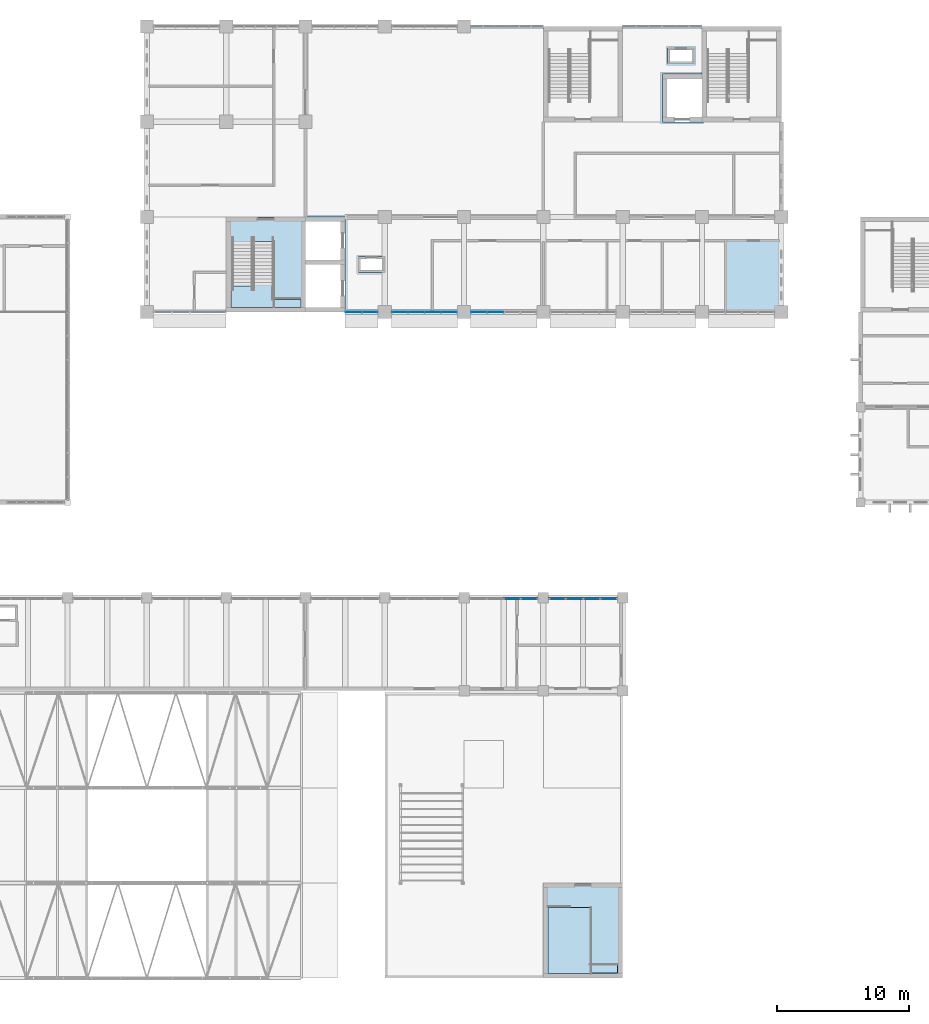
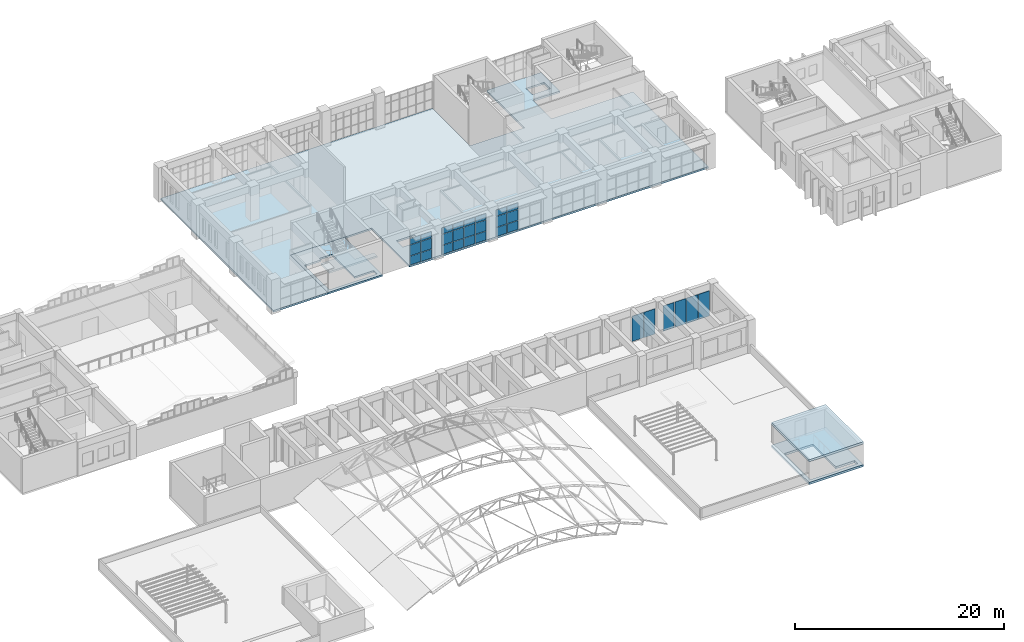
# One storey, part 55 of 92: 30 plates, 5 slabs, 6 elements without a shape of their own.
"""IFC4 building model written with IfcOpenShell, lengths in metres."""

from ifc_helpers import new_model, si_unit, direction, frame, origin, origin_2d, place, context, subcontext, project, spatial, polyline, rectangle, outline, extrude, material, layer, layer_set, type_object, element, aggregate, save


model = new_model("IFC4")

# Units and contexts
model_context = context("Model", 3, precision=1e-05, world=origin(), true_north=direction((0.0, 1.0)))
body_context = subcontext(model_context, "Body", "Model", "MODEL_VIEW")
ifc_project = project(units=[si_unit("LENGTHUNIT", "METRE"), si_unit("AREAUNIT", "SQUARE_METRE"), si_unit("VOLUMEUNIT", "CUBIC_METRE"), si_unit("PLANEANGLEUNIT", "RADIAN"), si_unit("MASSUNIT", "GRAM", prefix="KILO")], contexts=[model_context])

# Site, building, storey
site_placement = place(None, origin())
site = spatial("IfcSite", under=ifc_project, at=site_placement, CompositionType="ELEMENT")
building_placement = place(site_placement, origin())
building = spatial("IfcBuilding", under=site, at=building_placement, Name="Laocheng Heights Fire and Rescue Headquarters", CompositionType="ELEMENT")
storey_placement = place(building_placement, frame((0.0, 0.0, 12.60009765625)))
storey = spatial("IfcBuildingStorey", under=building, at=storey_placement, Name="L03", CompositionType="ELEMENT", Elevation=12.60009765625)

# Curtain wall, plates
ifc_material_1 = material(Name="Dark anodised aluminium unitised curtain wall, low-e double glazing", Category="aluminium")
curtain_wall_type_1 = type_object("IfcCurtainWallType", Name="CW 2500 x 3200 HQ SOUTH RIBBON", PredefinedType="NOTDEFINED", material=ifc_material_1)
curtain_wall_1_placement = place(storey_placement, origin())
curtain_wall_1 = element("IfcCurtainWall", 1, at=curtain_wall_1_placement, inside=storey, type_object=curtain_wall_type_1, Name="X9-X HQ SOUTH L03", PredefinedType="NOTDEFINED")
ifc_material_2 = material(Name="Laminated safety glass, low-e double glazed unit", Category="glass")
ifc_layer_1 = layer(ifc_material_2, 0.0400390625)
ifc_layer_set_1 = layer_set([ifc_layer_1], Name="Laminated safety glass, low-e double glazed unit")
plate_type_1 = type_object("IfcPlateType", Name="CW LAMINATED SAFETY PANEL 40 X", PredefinedType="CURTAIN_PANEL", material=ifc_layer_set_1)
plate_1_placement = place(storey_placement, frame((51.639892578125, 50.39990234375, 0.050048828125), z_axis=(0.0, 0.0, 1.0), x_axis=(1.0, 0.0, 0.0)))
plate_1 = element("IfcPlate", 2, at=plate_1_placement, type_object=plate_type_1, Name="X9-X panel 1.1", PredefinedType="CURTAIN_PANEL", context=body_context, shape_type="SweptSolid", body=[
    extrude(rectangle(XDim=1.159912109375, YDim=0.0400390625, at=origin_2d()), origin(), (0.0, 0.0, 1.0), 1.02490234375),
])
plate_2_placement = place(storey_placement, frame((52.860107421875, 50.39990234375, 0.050048828125), z_axis=(0.0, 0.0, 1.0), x_axis=(1.0, 0.0, 0.0)))
plate_2 = element("IfcPlate", 3, at=plate_2_placement, type_object=plate_type_1, Name="X9-X panel 2.1", PredefinedType="CURTAIN_PANEL", context=body_context, shape_type="SweptSolid", body=[
    extrude(rectangle(XDim=1.159912109375, YDim=0.0400390625, at=origin_2d()), origin(), (0.0, 0.0, 1.0), 1.02490234375),
])

ifc_material_3 = material(Name="Dark anodised aluminium unitised curtain wall, low-e double glazing", Category="aluminium")
curtain_wall_type_2 = type_object("IfcCurtainWallType", Name="CW 5000 x 3200 HQ SOUTH RIBBON", PredefinedType="NOTDEFINED", material=ifc_material_3)
curtain_wall_2_placement = place(storey_placement, origin())
curtain_wall_2 = element("IfcCurtainWall", 4, at=curtain_wall_2_placement, inside=storey, type_object=curtain_wall_type_2, Name="X10-X HQ SOUTH L03", PredefinedType="NOTDEFINED")
plate_3_placement = place(storey_placement, frame((55.139892578125, 50.39990234375, 0.050048828125), z_axis=(0.0, 0.0, 1.0), x_axis=(1.0, 0.0, 0.0)))
plate_3 = element("IfcPlate", 5, at=plate_3_placement, type_object=plate_type_1, Name="X10-X panel 1.1", PredefinedType="CURTAIN_PANEL", context=body_context, shape_type="SweptSolid", body=[
    extrude(rectangle(XDim=1.159912109375, YDim=0.0400390625, at=origin_2d()), origin(), (0.0, 0.0, 1.0), 1.02490234375),
])
plate_4_placement = place(storey_placement, frame((56.375, 50.39990234375, 0.050048828125), z_axis=(0.0, 0.0, 1.0), x_axis=(1.0, 0.0, 0.0)))
plate_4 = element("IfcPlate", 6, at=plate_4_placement, type_object=plate_type_1, Name="X10-X panel 2.1", PredefinedType="CURTAIN_PANEL", context=body_context, shape_type="SweptSolid", body=[
    extrude(rectangle(XDim=1.18994140625, YDim=0.0400390625, at=origin_2d()), origin(), (0.0, 0.0, 1.0), 1.02490234375),
])
plate_5_placement = place(storey_placement, frame((57.625, 50.39990234375, 0.050048828125), z_axis=(0.0, 0.0, 1.0), x_axis=(1.0, 0.0, 0.0)))
plate_5 = element("IfcPlate", 7, at=plate_5_placement, type_object=plate_type_1, Name="X10-X panel 3.1", PredefinedType="CURTAIN_PANEL", context=body_context, shape_type="SweptSolid", body=[
    extrude(rectangle(XDim=1.18994140625, YDim=0.0400390625, at=origin_2d()), origin(), (0.0, 0.0, 1.0), 1.02490234375),
])
plate_6_placement = place(storey_placement, frame((58.860107421875, 50.39990234375, 0.050048828125), z_axis=(0.0, 0.0, 1.0), x_axis=(1.0, 0.0, 0.0)))
plate_6 = element("IfcPlate", 8, at=plate_6_placement, type_object=plate_type_1, Name="X10-X panel 4.1", PredefinedType="CURTAIN_PANEL", context=body_context, shape_type="SweptSolid", body=[
    extrude(rectangle(XDim=1.159912109375, YDim=0.0400390625, at=origin_2d()), origin(), (0.0, 0.0, 1.0), 1.02490234375),
])

curtain_wall_3_placement = place(storey_placement, origin())
curtain_wall_3 = element("IfcCurtainWall", 9, at=curtain_wall_3_placement, inside=storey, type_object=curtain_wall_type_2, Name="X10-X HQ SOUTH L03", PredefinedType="NOTDEFINED")
plate_7_placement = place(storey_placement, frame((61.139892578125, 50.39990234375, 0.050048828125), z_axis=(0.0, 0.0, 1.0), x_axis=(1.0, 0.0, 0.0)))
plate_7 = element("IfcPlate", 10, at=plate_7_placement, type_object=plate_type_1, Name="X10-X panel 1.1", PredefinedType="CURTAIN_PANEL", context=body_context, shape_type="SweptSolid", body=[
    extrude(rectangle(XDim=1.159912109375, YDim=0.0400390625, at=origin_2d()), origin(), (0.0, 0.0, 1.0), 1.02490234375),
])
plate_8_placement = place(storey_placement, frame((62.375, 50.39990234375, 0.050048828125), z_axis=(0.0, 0.0, 1.0), x_axis=(1.0, 0.0, 0.0)))
plate_8 = element("IfcPlate", 11, at=plate_8_placement, type_object=plate_type_1, Name="X10-X panel 2.1", PredefinedType="CURTAIN_PANEL", context=body_context, shape_type="SweptSolid", body=[
    extrude(rectangle(XDim=1.18994140625, YDim=0.0400390625, at=origin_2d()), origin(), (0.0, 0.0, 1.0), 1.02490234375),
])

ifc_material_4 = material(Name="Aluminium unitised curtain wall, low-e double glazing", Category="aluminium")
curtain_wall_type_3 = type_object("IfcCurtainWallType", Name="CW 5200 x 3150 GALLERY UNIT", PredefinedType="NOTDEFINED", material=ifc_material_4)
curtain_wall_4_placement = place(storey_placement, origin())
curtain_wall_4 = element("IfcCurtainWall", 12, at=curtain_wall_4_placement, inside=storey, type_object=curtain_wall_type_3, Name="Gallery north glazing L03", PredefinedType="NOTDEFINED")
ifc_material_5 = material(Name="Aluminium shadow-box panel, insulated and back-painted", Category="aluminium")
ifc_layer_2 = layer(ifc_material_5, 0.06005859375)
ifc_layer_set_2 = layer_set([ifc_layer_2], Name="Aluminium shadow-box panel, insulated and back-painted")
plate_type_2 = type_object("IfcPlateType", Name="CW SHADOW BOX PANEL 60", PredefinedType="CURTAIN_PANEL", material=ifc_layer_set_2)
plate_9_placement = place(storey_placement, frame((63.64990234375, 28.699951171875, 0.10009765625), z_axis=(0.0, 0.0, 1.0), x_axis=(1.0, 0.0, 0.0)))
plate_9 = element("IfcPlate", 13, at=plate_9_placement, type_object=plate_type_2, Name="X6-E panel 3.1", PredefinedType="CURTAIN_PANEL", context=body_context, shape_type="SweptSolid", body=[
    extrude(rectangle(XDim=1.239990234375, YDim=0.06005859375, at=origin_2d()), origin(), (0.0, 0.0, 1.0), 2.949951171875),
])
plate_10_placement = place(storey_placement, frame((64.93505859375, 28.699951171875, 0.10009765625), z_axis=(0.0, 0.0, 1.0), x_axis=(1.0, 0.0, 0.0)))
plate_10 = element("IfcPlate", 14, at=plate_10_placement, type_object=plate_type_2, Name="X6-E panel 4.1", PredefinedType="CURTAIN_PANEL", context=body_context, shape_type="SweptSolid", body=[
    extrude(rectangle(XDim=1.2099609375, YDim=0.06005859375, at=origin_2d()), origin(), (0.0, 0.0, 1.0), 2.949951171875),
])
aggregate(curtain_wall_4, [plate_9, plate_10])

curtain_wall_5_placement = place(storey_placement, origin())
curtain_wall_5 = element("IfcCurtainWall", 15, at=curtain_wall_5_placement, inside=storey, type_object=curtain_wall_type_3, Name="Gallery north glazing L03", PredefinedType="NOTDEFINED")
plate_11_placement = place(storey_placement, frame((67.06494140625, 28.699951171875, 0.10009765625), z_axis=(0.0, 0.0, 1.0), x_axis=(1.0, 0.0, 0.0)))
plate_11 = element("IfcPlate", 16, at=plate_11_placement, type_object=plate_type_2, Name="X6-E panel 1.1", PredefinedType="CURTAIN_PANEL", context=body_context, shape_type="SweptSolid", body=[
    extrude(rectangle(XDim=1.2099609375, YDim=0.06005859375, at=origin_2d()), origin(), (0.0, 0.0, 1.0), 2.949951171875),
])
plate_12_placement = place(storey_placement, frame((68.35009765625, 28.699951171875, 0.10009765625), z_axis=(0.0, 0.0, 1.0), x_axis=(1.0, 0.0, 0.0)))
plate_12 = element("IfcPlate", 17, at=plate_12_placement, type_object=plate_type_2, Name="X6-E panel 2.1", PredefinedType="CURTAIN_PANEL", context=body_context, shape_type="SweptSolid", body=[
    extrude(rectangle(XDim=1.239990234375, YDim=0.06005859375, at=origin_2d()), origin(), (0.0, 0.0, 1.0), 2.949951171875),
])
plate_13_placement = place(storey_placement, frame((69.64990234375, 28.699951171875, 0.10009765625), z_axis=(0.0, 0.0, 1.0), x_axis=(1.0, 0.0, 0.0)))
plate_13 = element("IfcPlate", 18, at=plate_13_placement, type_object=plate_type_2, Name="X6-E panel 3.1", PredefinedType="CURTAIN_PANEL", context=body_context, shape_type="SweptSolid", body=[
    extrude(rectangle(XDim=1.239990234375, YDim=0.06005859375, at=origin_2d()), origin(), (0.0, 0.0, 1.0), 2.949951171875),
])
plate_14_placement = place(storey_placement, frame((70.93505859375, 28.699951171875, 0.10009765625), z_axis=(0.0, 0.0, 1.0), x_axis=(1.0, 0.0, 0.0)))
plate_14 = element("IfcPlate", 19, at=plate_14_placement, type_object=plate_type_2, Name="X6-E panel 4.1", PredefinedType="CURTAIN_PANEL", context=body_context, shape_type="SweptSolid", body=[
    extrude(rectangle(XDim=1.2099609375, YDim=0.06005859375, at=origin_2d()), origin(), (0.0, 0.0, 1.0), 2.949951171875),
])
aggregate(curtain_wall_5, [plate_11, plate_12, plate_13, plate_14])

# Plate
ifc_material_6 = material(Name="Low-e double glazed unit, laminated inner pane")
ifc_layer_3 = layer(ifc_material_6, 0.028076171875)
ifc_layer_set_3 = layer_set([ifc_layer_3], Name="Low-e double glazed unit, laminated inner pane")
plate_type_3 = type_object("IfcPlateType", Name="CW VISION PANEL 28 X", PredefinedType="CURTAIN_PANEL", material=ifc_layer_set_3)
plate_15_placement = place(storey_placement, frame((51.639892578125, 50.39990234375, 1.125), z_axis=(0.0, 0.0, 1.0), x_axis=(1.0, 0.0, 0.0)))
plate_15 = element("IfcPlate", 20, at=plate_15_placement, type_object=plate_type_3, Name="X9-X panel 1.2", PredefinedType="CURTAIN_PANEL", context=body_context, shape_type="SweptSolid", body=[
    extrude(rectangle(XDim=1.159912109375, YDim=0.028076171875, at=origin_2d()), origin(), (0.0, 0.0, 1.0), 1.25),
])

plate_16_placement = place(storey_placement, frame((51.639892578125, 50.39990234375, 2.4248046875), z_axis=(0.0, 0.0, 1.0), x_axis=(1.0, 0.0, 0.0)))
plate_16 = element("IfcPlate", 21, at=plate_16_placement, type_object=plate_type_3, Name="X9-X panel 1.3", PredefinedType="CURTAIN_PANEL", context=body_context, shape_type="SweptSolid", body=[
    extrude(rectangle(XDim=1.159912109375, YDim=0.028076171875, at=origin_2d()), origin(), (0.0, 0.0, 1.0), 0.72509765625),
])

plate_17_placement = place(storey_placement, frame((52.860107421875, 50.39990234375, 1.125), z_axis=(0.0, 0.0, 1.0), x_axis=(1.0, 0.0, 0.0)))
plate_17 = element("IfcPlate", 22, at=plate_17_placement, type_object=plate_type_3, Name="X9-X panel 2.2", PredefinedType="CURTAIN_PANEL", context=body_context, shape_type="SweptSolid", body=[
    extrude(rectangle(XDim=1.159912109375, YDim=0.028076171875, at=origin_2d()), origin(), (0.0, 0.0, 1.0), 1.25),
])

plate_18_placement = place(storey_placement, frame((52.860107421875, 50.39990234375, 2.4248046875), z_axis=(0.0, 0.0, 1.0), x_axis=(1.0, 0.0, 0.0)))
plate_18 = element("IfcPlate", 23, at=plate_18_placement, type_object=plate_type_3, Name="X9-X panel 2.3", PredefinedType="CURTAIN_PANEL", context=body_context, shape_type="SweptSolid", body=[
    extrude(rectangle(XDim=1.159912109375, YDim=0.028076171875, at=origin_2d()), origin(), (0.0, 0.0, 1.0), 0.72509765625),
])

aggregate(curtain_wall_1, [plate_1, plate_15, plate_16, plate_2, plate_17, plate_18])

plate_19_placement = place(storey_placement, frame((55.139892578125, 50.39990234375, 1.125), z_axis=(0.0, 0.0, 1.0), x_axis=(1.0, 0.0, 0.0)))
plate_19 = element("IfcPlate", 24, at=plate_19_placement, type_object=plate_type_3, Name="X10-X panel 1.2", PredefinedType="CURTAIN_PANEL", context=body_context, shape_type="SweptSolid", body=[
    extrude(rectangle(XDim=1.159912109375, YDim=0.028076171875, at=origin_2d()), origin(), (0.0, 0.0, 1.0), 1.25),
])

plate_20_placement = place(storey_placement, frame((55.139892578125, 50.39990234375, 2.4248046875), z_axis=(0.0, 0.0, 1.0), x_axis=(1.0, 0.0, 0.0)))
plate_20 = element("IfcPlate", 25, at=plate_20_placement, type_object=plate_type_3, Name="X10-X panel 1.3", PredefinedType="CURTAIN_PANEL", context=body_context, shape_type="SweptSolid", body=[
    extrude(rectangle(XDim=1.159912109375, YDim=0.028076171875, at=origin_2d()), origin(), (0.0, 0.0, 1.0), 0.72509765625),
])

plate_21_placement = place(storey_placement, frame((56.375, 50.39990234375, 1.125), z_axis=(0.0, 0.0, 1.0), x_axis=(1.0, 0.0, 0.0)))
plate_21 = element("IfcPlate", 26, at=plate_21_placement, type_object=plate_type_3, Name="X10-X panel 2.2", PredefinedType="CURTAIN_PANEL", context=body_context, shape_type="SweptSolid", body=[
    extrude(rectangle(XDim=1.18994140625, YDim=0.028076171875, at=origin_2d()), origin(), (0.0, 0.0, 1.0), 1.25),
])

plate_22_placement = place(storey_placement, frame((56.375, 50.39990234375, 2.4248046875), z_axis=(0.0, 0.0, 1.0), x_axis=(1.0, 0.0, 0.0)))
plate_22 = element("IfcPlate", 27, at=plate_22_placement, type_object=plate_type_3, Name="X10-X panel 2.3", PredefinedType="CURTAIN_PANEL", context=body_context, shape_type="SweptSolid", body=[
    extrude(rectangle(XDim=1.18994140625, YDim=0.028076171875, at=origin_2d()), origin(), (0.0, 0.0, 1.0), 0.72509765625),
])

plate_23_placement = place(storey_placement, frame((57.625, 50.39990234375, 1.125), z_axis=(0.0, 0.0, 1.0), x_axis=(1.0, 0.0, 0.0)))
plate_23 = element("IfcPlate", 28, at=plate_23_placement, type_object=plate_type_3, Name="X10-X panel 3.2", PredefinedType="CURTAIN_PANEL", context=body_context, shape_type="SweptSolid", body=[
    extrude(rectangle(XDim=1.18994140625, YDim=0.028076171875, at=origin_2d()), origin(), (0.0, 0.0, 1.0), 1.25),
])

plate_24_placement = place(storey_placement, frame((57.625, 50.39990234375, 2.4248046875), z_axis=(0.0, 0.0, 1.0), x_axis=(1.0, 0.0, 0.0)))
plate_24 = element("IfcPlate", 29, at=plate_24_placement, type_object=plate_type_3, Name="X10-X panel 3.3", PredefinedType="CURTAIN_PANEL", context=body_context, shape_type="SweptSolid", body=[
    extrude(rectangle(XDim=1.18994140625, YDim=0.028076171875, at=origin_2d()), origin(), (0.0, 0.0, 1.0), 0.72509765625),
])

plate_25_placement = place(storey_placement, frame((58.860107421875, 50.39990234375, 1.125), z_axis=(0.0, 0.0, 1.0), x_axis=(1.0, 0.0, 0.0)))
plate_25 = element("IfcPlate", 30, at=plate_25_placement, type_object=plate_type_3, Name="X10-X panel 4.2", PredefinedType="CURTAIN_PANEL", context=body_context, shape_type="SweptSolid", body=[
    extrude(rectangle(XDim=1.159912109375, YDim=0.028076171875, at=origin_2d()), origin(), (0.0, 0.0, 1.0), 1.25),
])

plate_26_placement = place(storey_placement, frame((58.860107421875, 50.39990234375, 2.4248046875), z_axis=(0.0, 0.0, 1.0), x_axis=(1.0, 0.0, 0.0)))
plate_26 = element("IfcPlate", 31, at=plate_26_placement, type_object=plate_type_3, Name="X10-X panel 4.3", PredefinedType="CURTAIN_PANEL", context=body_context, shape_type="SweptSolid", body=[
    extrude(rectangle(XDim=1.159912109375, YDim=0.028076171875, at=origin_2d()), origin(), (0.0, 0.0, 1.0), 0.72509765625),
])

aggregate(curtain_wall_2, [plate_3, plate_19, plate_20, plate_4, plate_21, plate_22, plate_5, plate_23, plate_24, plate_6, plate_25, plate_26])

plate_27_placement = place(storey_placement, frame((61.139892578125, 50.39990234375, 1.125), z_axis=(0.0, 0.0, 1.0), x_axis=(1.0, 0.0, 0.0)))
plate_27 = element("IfcPlate", 32, at=plate_27_placement, type_object=plate_type_3, Name="X10-X panel 1.2", PredefinedType="CURTAIN_PANEL", context=body_context, shape_type="SweptSolid", body=[
    extrude(rectangle(XDim=1.159912109375, YDim=0.028076171875, at=origin_2d()), origin(), (0.0, 0.0, 1.0), 1.25),
])

plate_28_placement = place(storey_placement, frame((61.139892578125, 50.39990234375, 2.4248046875), z_axis=(0.0, 0.0, 1.0), x_axis=(1.0, 0.0, 0.0)))
plate_28 = element("IfcPlate", 33, at=plate_28_placement, type_object=plate_type_3, Name="X10-X panel 1.3", PredefinedType="CURTAIN_PANEL", context=body_context, shape_type="SweptSolid", body=[
    extrude(rectangle(XDim=1.159912109375, YDim=0.028076171875, at=origin_2d()), origin(), (0.0, 0.0, 1.0), 0.72509765625),
])

plate_29_placement = place(storey_placement, frame((62.375, 50.39990234375, 1.125), z_axis=(0.0, 0.0, 1.0), x_axis=(1.0, 0.0, 0.0)))
plate_29 = element("IfcPlate", 34, at=plate_29_placement, type_object=plate_type_3, Name="X10-X panel 2.2", PredefinedType="CURTAIN_PANEL", context=body_context, shape_type="SweptSolid", body=[
    extrude(rectangle(XDim=1.18994140625, YDim=0.028076171875, at=origin_2d()), origin(), (0.0, 0.0, 1.0), 1.25),
])

plate_30_placement = place(storey_placement, frame((62.375, 50.39990234375, 2.4248046875), z_axis=(0.0, 0.0, 1.0), x_axis=(1.0, 0.0, 0.0)))
plate_30 = element("IfcPlate", 35, at=plate_30_placement, type_object=plate_type_3, Name="X10-X panel 2.3", PredefinedType="CURTAIN_PANEL", context=body_context, shape_type="SweptSolid", body=[
    extrude(rectangle(XDim=1.18994140625, YDim=0.028076171875, at=origin_2d()), origin(), (0.0, 0.0, 1.0), 0.72509765625),
])

aggregate(curtain_wall_3, [plate_7, plate_27, plate_28, plate_8, plate_29, plate_30])

# Slabs
ifc_material_7 = material(Name="Concrete C40", Category="concrete")
ifc_layer_4 = layer(ifc_material_7, 0.199951171875)
ifc_layer_set_4 = layer_set([ifc_layer_4], Name="Concrete C40")
slab_type_1 = type_object("IfcSlabType", Name="RC FLOOR SLAB 200 HQ", PredefinedType="FLOOR", material=ifc_layer_set_4)
slab_1_placement = place(storey_placement, frame((0.0, 0.0, -0.2001953125)))
element("IfcSlab", 36, at=slab_1_placement, inside=storey, type_object=slab_type_1, Name="HQ floor L03", PredefinedType="FLOOR", context=body_context, shape_type="SweptSolid", body=[
    extrude(outline(polyline([(84.0, 50.39990234375), (84.0, 64.800048828125), (75.0, 64.800048828125), (75.0, 68.39990234375), (78.0, 68.39990234375), (78.0, 72.0), (72.0, 72.0), (72.0, 64.800048828125), (66.0, 64.800048828125), (66.0, 72.0), (36.0, 72.0), (36.0, 50.39990234375), (42.0, 50.39990234375), (42.0, 57.60009765625), (51.0, 57.60009765625), (51.0, 50.39990234375), (84.0, 50.39990234375)]), holes=[polyline([(54.0, 54.60009765625), (54.0, 53.39990234375), (52.0, 53.39990234375), (52.0, 54.60009765625), (54.0, 54.60009765625)]), polyline([(77.39990234375, 69.199951171875), (75.39990234375, 69.199951171875), (75.39990234375, 70.39990234375), (77.39990234375, 70.39990234375), (77.39990234375, 69.199951171875)])]), origin(), (0.0, 0.0, 1.0), 0.2001953125),
])
ifc_material_8 = material(Name="Concrete C40", Category="concrete")
ifc_layer_5 = layer(ifc_material_8, 0.25)
ifc_layer_set_5 = layer_set([ifc_layer_5], Name="Concrete C40")
slab_type_2 = type_object("IfcSlabType", Name="RC HEAD-HOUSE ROOF SLAB 250", PredefinedType="ROOF", material=ifc_layer_set_5)
slab_2_placement = place(storey_placement, frame((0.0, 0.0, 2.39990234375)))
element("IfcSlab", 37, at=slab_2_placement, inside=storey, type_object=slab_type_2, Name="Head-house roof slab E2", PredefinedType="ROOF", context=body_context, shape_type="SweptSolid", body=[
    extrude(outline(polyline([(66.0, 0.0), (72.0, 0.0), (72.0, 7.199951171875), (66.0, 7.199951171875), (66.0, 0.0)])), origin(), (0.0, 0.0, 1.0), 0.25),
])

# Stair, slab
ifc_material_9 = material(Name="Concrete C40", Category="concrete")
stair_type = type_object("IfcStairType", Name="RC STAIR 1400 TWO FLIGHTS 28 RISERS OF 150 GOING 260", PredefinedType="HALF_TURN_STAIR", material=ifc_material_9)
stair_placement = place(storey_placement, origin())
stair = element("IfcStair", 38, at=stair_placement, inside=storey, type_object=stair_type, Name="Stair H1 (L03 to L04)", PredefinedType="HALF_TURN_STAIR")
ifc_material_10 = material(Name="Concrete C40", Category="concrete")
ifc_layer_6 = layer(ifc_material_10, 0.199951171875)
ifc_layer_set_6 = layer_set([ifc_layer_6], Name="Concrete C40")
slab_type_3 = type_object("IfcSlabType", Name="STAIR FLOOR LANDING 200", PredefinedType="LANDING", material=ifc_layer_set_6)
slab_3_placement = place(storey_placement, frame((0.0, 0.0, -0.2001953125)))
slab_3 = element("IfcSlab", 39, at=slab_3_placement, type_object=slab_type_3, Name="Stair H1 floor landing L03", PredefinedType="LANDING", context=body_context, shape_type="SweptSolid", body=[
    extrude(outline(polyline([(42.0, 57.60009765625), (48.0, 57.60009765625), (48.0, 50.39990234375), (42.0, 50.39990234375), (42.0, 57.60009765625)]), holes=[polyline([(45.52490234375, 50.75), (47.64990234375, 50.75), (47.64990234375, 51.35009765625), (47.60009765625, 51.35009765625), (47.60009765625, 51.39990234375), (45.52490234375, 51.39990234375), (45.52490234375, 52.670166015625), (45.52490234375, 55.7470703125), (44.125, 55.7470703125), (44.125, 55.449951171875), (42.35009765625, 55.449951171875), (42.35009765625, 52.373046875), (42.35009765625, 50.75), (44.125, 50.75), (45.52490234375, 50.75)])]), origin(), (0.0, 0.0, 1.0), 0.2001953125),
])

# Slab
ifc_material_11 = material(Name="Concrete C40", Category="concrete")
ifc_layer_7 = layer(ifc_material_11, 0.25)
ifc_layer_set_7 = layer_set([ifc_layer_7], Name="Concrete C40")
slab_type_4 = type_object("IfcSlabType", Name="STAIR FLOOR LANDING 250", PredefinedType="LANDING", material=ifc_layer_set_7)
slab_4_placement = place(storey_placement, frame((0.0, 0.0, -0.25)))
element("IfcSlab", 40, at=slab_4_placement, inside=storey, type_object=slab_type_4, Name="Stair E2 floor landing L03", PredefinedType="LANDING", context=body_context, shape_type="SweptSolid", body=[
    extrude(outline(polyline([(66.0, 7.199951171875), (72.0, 7.199951171875), (72.0, 0.0), (66.0, 0.0), (66.0, 7.199951171875)]), holes=[polyline([(68.125, 5.35009765625), (66.35009765625, 5.35009765625), (66.35009765625, 0.35009765625), (68.125, 0.35009765625), (69.52490234375, 0.35009765625), (69.52490234375, 0.39990234375), (71.60009765625, 0.39990234375), (71.60009765625, 1.0), (69.52490234375, 1.0), (69.52490234375, 2.270263671875), (69.52490234375, 5.346923828125), (68.125, 5.346923828125), (68.125, 5.35009765625)])]), origin(), (0.0, 0.0, 1.0), 0.25),
])

ifc_material_12 = material(Name="Concrete C40", Category="concrete")
ifc_layer_8 = layer(ifc_material_12, 0.201904296875)
ifc_layer_set_8 = layer_set([ifc_layer_8], Name="Concrete C40")
slab_type_5 = type_object("IfcSlabType", Name="STAIR HALF LANDING 202", PredefinedType="LANDING", material=ifc_layer_set_8)
slab_5_placement = place(storey_placement, frame((0.0, 0.0, 1.89990234375)))
slab_5 = element("IfcSlab", 41, at=slab_5_placement, type_object=slab_type_5, Name="H1-L03 landing 1", PredefinedType="LANDING", context=body_context, shape_type="SweptSolid", body=[
    extrude(outline(polyline([(47.64990234375, 51.35009765625), (47.64990234375, 50.75), (45.52490234375, 50.75), (44.125, 50.75), (42.35009765625, 50.75), (42.35009765625, 52.373046875), (44.125, 52.373046875), (44.125, 52.670166015625), (45.52490234375, 52.670166015625), (45.52490234375, 51.35009765625), (47.64990234375, 51.35009765625)])), origin(), (0.0, 0.0, 1.0), 0.201904296875),
])

aggregate(stair, [slab_5, slab_3])

save(model, "model.ifc")
